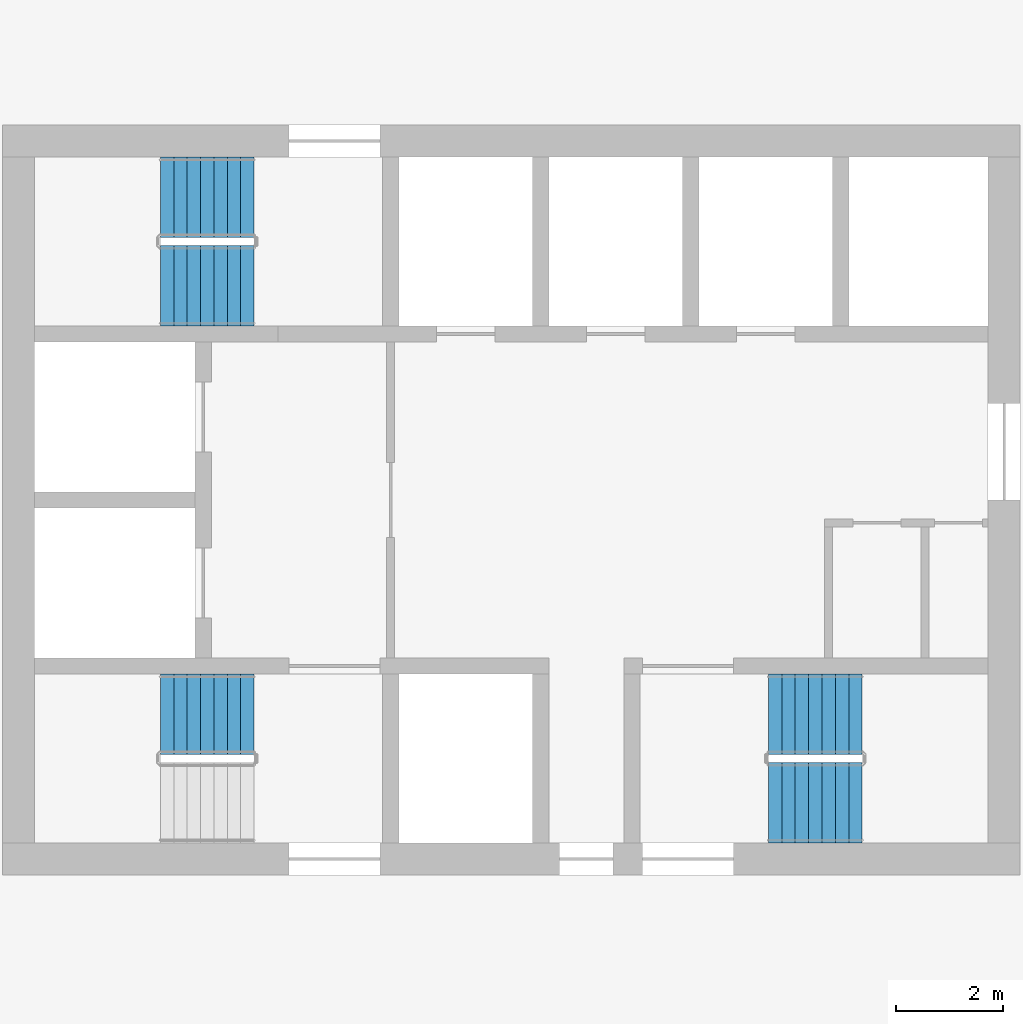
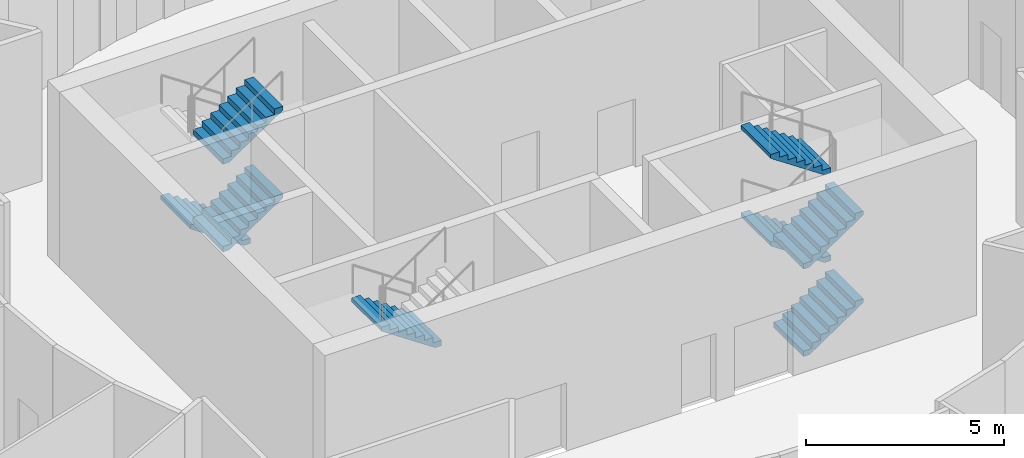
# One storey, part 8 of 11: 8 stair flights, 3 elements without a shape of their own.
"""IFC4 building model written with IfcOpenShell, lengths in metres."""

from ifc_helpers import new_model, si_unit, direction, frame, origin, place, context, subcontext, project, spatial, polyline, outline, extrude, material, type_object, element, aggregate, save


model = new_model("IFC4")

# Units and contexts
model_context = context("Model", 3, precision=1e-05, world=origin(), true_north=direction((0.0, 1.0)))
body_context = subcontext(model_context, "Body", "Model", "MODEL_VIEW")
ifc_project = project(units=[si_unit("LENGTHUNIT", "METRE"), si_unit("AREAUNIT", "SQUARE_METRE"), si_unit("VOLUMEUNIT", "CUBIC_METRE"), si_unit("PLANEANGLEUNIT", "RADIAN"), si_unit("MASSUNIT", "GRAM", prefix="KILO")], contexts=[model_context])

# Site, building, storey
site_placement = place(None, origin())
site = spatial("IfcSite", under=ifc_project, at=site_placement, CompositionType="ELEMENT")
building_placement = place(site_placement, origin())
building = spatial("IfcBuilding", under=site, at=building_placement, Name="Tracery Tower", CompositionType="ELEMENT")
storey_placement = place(building_placement, frame((0.0, 0.0, 330.60009765625)))
storey = spatial("IfcBuildingStorey", under=building, at=storey_placement, Name="L86", CompositionType="ELEMENT", Elevation=330.60009765625)

# Stair, stair flight
ifc_material_1 = material(Name="Concrete C32/40", Category="concrete")
stair_type = type_object("IfcStairType", Name="Core stair 32 risers", PredefinedType="HALF_TURN_STAIR", material=ifc_material_1)
stair_1_placement = place(storey_placement, origin())
stair_1 = element("IfcStair", 1, at=stair_1_placement, inside=storey, type_object=stair_type, Name="L86 stair ST1", PredefinedType="HALF_TURN_STAIR")
ifc_material_2 = material(Name="Concrete C32/40", Category="concrete")
stair_flight_type = type_object("IfcStairFlightType", Name="Core stair flight 8 risers", PredefinedType="STRAIGHT", material=ifc_material_2)
stair_flight_1_placement = place(storey_placement, frame((-4.800048828125, -4.0, 2.699951171875), z_axis=(0.0, 0.0, 1.0), x_axis=(-1.0, 0.0, 0.0)))
stair_flight_1 = element("IfcStairFlight", 2, at=stair_flight_1_placement, type_object=stair_flight_type, Name="ST1 flight 3", NumberOfRisers=8, NumberOfTreads=7, PredefinedType="STRAIGHT", RiserHeight=0.16875, TreadLength=0.25, context=body_context, shape_type="SweptSolid", body=[
    extrude(outline(polyline([(0.0, 0.0), (0.0, 0.002685546875), (0.0, 0.005615234375), (0.0, 0.00830078125), (0.0, 0.010986328125), (0.0, 0.013916015625), (0.0, 0.0166015625), (0.0, 0.019287109375), (0.0, 0.022216796875), (0.0, 0.02490234375), (0.0, 0.027587890625), (0.0, 0.030517578125), (0.0, 0.033203125), (0.0, 0.035888671875), (0.0, 0.038818359375), (0.0, 0.04150390625), (0.0, 0.044189453125), (0.0, 0.047119140625), (0.0, 0.0498046875), (0.0, 0.052490234375), (0.0, 0.055419921875), (0.0, 0.05810546875), (0.0, 0.060791015625), (0.0, 0.063720703125), (0.0, 0.06640625), (0.0, 0.069091796875), (0.0, 0.072021484375), (0.0, 0.07470703125), (0.0, 0.077392578125), (0.0, 0.080322265625), (0.0, 0.0830078125), (0.0, 0.085693359375), (0.0, 0.088623046875), (0.0, 0.09130859375), (0.0, 0.093994140625), (0.0, 0.096923828125), (0.0, 0.099609375), (0.0, 0.102294921875), (0.0, 0.105224609375), (0.0, 0.10791015625), (0.0, 0.110595703125), (0.0, 0.113525390625), (0.0, 0.1162109375), (0.0, 0.118896484375), (0.0, 0.121826171875), (0.0, 0.12451171875), (0.0, 0.127197265625), (0.0, 0.130126953125), (0.0, 0.1328125), (0.0, 0.135498046875), (0.0, 0.138427734375), (0.0, 0.14111328125), (0.0, 0.143798828125), (0.0, 0.146728515625), (0.0, 0.1494140625), (0.0, 0.152099609375), (0.0, 0.155029296875), (0.0, 0.15771484375), (0.0, 0.160400390625), (0.0, 0.163330078125), (0.0, 0.166015625), (0.0, 0.168701171875), (0.25, 0.168701171875), (0.25, 0.33740234375), (0.5, 0.33740234375), (0.5, 0.50634765625), (0.75, 0.50634765625), (0.75, 0.675048828125), (1.0, 0.675048828125), (1.0, 0.84375), (1.25, 0.84375), (1.25, 1.012451171875), (1.5, 1.012451171875), (1.5, 1.18115234375), (1.75, 1.18115234375), (1.75, 1.17919921875), (1.75, 1.17724609375), (1.75, 1.17529296875), (1.75, 1.17333984375), (1.75, 1.17138671875), (1.75, 1.16943359375), (1.75, 1.16748046875), (1.75, 1.16552734375), (1.75, 1.163330078125), (1.75, 1.161376953125), (1.75, 1.159423828125), (1.75, 1.157470703125), (1.75, 1.155517578125), (1.75, 1.153564453125), (1.75, 1.151611328125), (1.75, 1.149658203125), (1.75, 1.147705078125), (1.75, 1.1455078125), (1.75, 1.1435546875), (1.75, 1.1416015625), (1.75, 1.1396484375), (1.75, 1.1376953125), (1.75, 1.1357421875), (1.75, 1.1337890625), (1.75, 1.1318359375), (1.75, 1.1298828125), (1.75, 1.127685546875), (1.75, 1.125732421875), (1.75, 1.123779296875), (1.75, 1.121826171875), (1.75, 1.119873046875), (1.75, 1.117919921875), (1.75, 1.115966796875), (1.75, 1.114013671875), (1.75, 1.112060546875), (1.75, 1.10986328125), (1.75, 1.10791015625), (1.75, 1.10595703125), (1.75, 1.10400390625), (1.75, 1.10205078125), (1.75, 1.10009765625), (1.75, 1.09814453125), (1.75, 1.09619140625), (1.75, 1.09423828125), (1.75, 1.092041015625), (1.75, 1.090087890625), (1.75, 1.088134765625), (1.75, 1.086181640625), (1.75, 1.084228515625), (1.75, 1.082275390625), (1.75, 1.080322265625), (1.75, 1.078369140625), (1.75, 1.076416015625), (1.75, 1.074462890625), (1.75, 1.072265625), (1.75, 1.0703125), (1.75, 1.068359375), (1.75, 1.06640625), (1.75, 1.064453125), (1.75, 1.0625), (1.75, 1.060546875), (0.178955078125, 0.0), (0.0, 0.0)])), frame((0.0, 0.75, 0.0), z_axis=(0.0, -1.0, 0.0), x_axis=(1.0, 0.0, 0.0)), (0.0, 0.0, 1.0), 1.5),
])
aggregate(stair_1, [stair_flight_1])

# Stair, stair flights
stair_2_placement = place(storey_placement, origin())
stair_2 = element("IfcStair", 3, at=stair_2_placement, inside=storey, type_object=stair_type, Name="L86 stair ST3", PredefinedType="HALF_TURN_STAIR")
stair_flight_2_placement = place(storey_placement, frame((-4.800048828125, 5.64990234375, 0.0), z_axis=(0.0, 0.0, 1.0), x_axis=(-1.0, 0.0, 0.0)))
stair_flight_2 = element("IfcStairFlight", 4, at=stair_flight_2_placement, type_object=stair_flight_type, Name="ST3 flight 1", NumberOfRisers=8, NumberOfTreads=7, PredefinedType="STRAIGHT", RiserHeight=0.16875, TreadLength=0.25, context=body_context, shape_type="SweptSolid", body=[
    extrude(outline(polyline([(0.0, 0.0), (0.0, 0.002685546875), (0.0, 0.005615234375), (0.0, 0.00830078125), (0.0, 0.010986328125), (0.0, 0.013916015625), (0.0, 0.0166015625), (0.0, 0.019287109375), (0.0, 0.022216796875), (0.0, 0.02490234375), (0.0, 0.027587890625), (0.0, 0.030517578125), (0.0, 0.033203125), (0.0, 0.035888671875), (0.0, 0.038818359375), (0.0, 0.04150390625), (0.0, 0.044189453125), (0.0, 0.047119140625), (0.0, 0.0498046875), (0.0, 0.052490234375), (0.0, 0.055419921875), (0.0, 0.05810546875), (0.0, 0.060791015625), (0.0, 0.063720703125), (0.0, 0.06640625), (0.0, 0.069091796875), (0.0, 0.072021484375), (0.0, 0.07470703125), (0.0, 0.077392578125), (0.0, 0.080322265625), (0.0, 0.0830078125), (0.0, 0.085693359375), (0.0, 0.088623046875), (0.0, 0.09130859375), (0.0, 0.093994140625), (0.0, 0.096923828125), (0.0, 0.099609375), (0.0, 0.102294921875), (0.0, 0.105224609375), (0.0, 0.10791015625), (0.0, 0.110595703125), (0.0, 0.113525390625), (0.0, 0.1162109375), (0.0, 0.118896484375), (0.0, 0.121826171875), (0.0, 0.12451171875), (0.0, 0.127197265625), (0.0, 0.130126953125), (0.0, 0.1328125), (0.0, 0.135498046875), (0.0, 0.138427734375), (0.0, 0.14111328125), (0.0, 0.143798828125), (0.0, 0.146728515625), (0.0, 0.1494140625), (0.0, 0.152099609375), (0.0, 0.155029296875), (0.0, 0.15771484375), (0.0, 0.160400390625), (0.0, 0.163330078125), (0.0, 0.166015625), (0.0, 0.168701171875), (0.25, 0.168701171875), (0.25, 0.33740234375), (0.5, 0.33740234375), (0.5, 0.50634765625), (0.75, 0.50634765625), (0.75, 0.675048828125), (1.0, 0.675048828125), (1.0, 0.84375), (1.25, 0.84375), (1.25, 1.012451171875), (1.5, 1.012451171875), (1.5, 1.18115234375), (1.75, 1.18115234375), (1.75, 1.17919921875), (1.75, 1.17724609375), (1.75, 1.17529296875), (1.75, 1.17333984375), (1.75, 1.17138671875), (1.75, 1.16943359375), (1.75, 1.16748046875), (1.75, 1.16552734375), (1.75, 1.163330078125), (1.75, 1.161376953125), (1.75, 1.159423828125), (1.75, 1.157470703125), (1.75, 1.155517578125), (1.75, 1.153564453125), (1.75, 1.151611328125), (1.75, 1.149658203125), (1.75, 1.147705078125), (1.75, 1.1455078125), (1.75, 1.1435546875), (1.75, 1.1416015625), (1.75, 1.1396484375), (1.75, 1.1376953125), (1.75, 1.1357421875), (1.75, 1.1337890625), (1.75, 1.1318359375), (1.75, 1.1298828125), (1.75, 1.127685546875), (1.75, 1.125732421875), (1.75, 1.123779296875), (1.75, 1.121826171875), (1.75, 1.119873046875), (1.75, 1.117919921875), (1.75, 1.115966796875), (1.75, 1.114013671875), (1.75, 1.112060546875), (1.75, 1.10986328125), (1.75, 1.10791015625), (1.75, 1.10595703125), (1.75, 1.10400390625), (1.75, 1.10205078125), (1.75, 1.10009765625), (1.75, 1.09814453125), (1.75, 1.09619140625), (1.75, 1.09423828125), (1.75, 1.092041015625), (1.75, 1.090087890625), (1.75, 1.088134765625), (1.75, 1.086181640625), (1.75, 1.084228515625), (1.75, 1.082275390625), (1.75, 1.080322265625), (1.75, 1.078369140625), (1.75, 1.076416015625), (1.75, 1.074462890625), (1.75, 1.072265625), (1.75, 1.0703125), (1.75, 1.068359375), (1.75, 1.06640625), (1.75, 1.064453125), (1.75, 1.0625), (1.75, 1.060546875), (0.178955078125, 0.0), (0.0, 0.0)])), frame((0.0, 0.75, 0.0), z_axis=(0.0, -1.0, 0.0), x_axis=(1.0, 0.0, 0.0)), (0.0, 0.0, 1.0), 1.5),
])
stair_flight_3_placement = place(storey_placement, frame((-6.550048828125, 4.0, 1.349853515625), z_axis=(0.0, 0.0, 1.0), x_axis=(1.0, 0.0, 0.0)))
stair_flight_3 = element("IfcStairFlight", 5, at=stair_flight_3_placement, type_object=stair_flight_type, Name="ST3 flight 2", NumberOfRisers=8, NumberOfTreads=7, PredefinedType="STRAIGHT", RiserHeight=0.16875, TreadLength=0.25, context=body_context, shape_type="SweptSolid", body=[
    extrude(outline(polyline([(0.0, 0.0), (0.0, 0.002685546875), (0.0, 0.005615234375), (0.0, 0.00830078125), (0.0, 0.010986328125), (0.0, 0.013916015625), (0.0, 0.0166015625), (0.0, 0.019287109375), (0.0, 0.022216796875), (0.0, 0.02490234375), (0.0, 0.027587890625), (0.0, 0.030517578125), (0.0, 0.033203125), (0.0, 0.035888671875), (0.0, 0.038818359375), (0.0, 0.04150390625), (0.0, 0.044189453125), (0.0, 0.047119140625), (0.0, 0.0498046875), (0.0, 0.052490234375), (0.0, 0.055419921875), (0.0, 0.05810546875), (0.0, 0.060791015625), (0.0, 0.063720703125), (0.0, 0.06640625), (0.0, 0.069091796875), (0.0, 0.072021484375), (0.0, 0.07470703125), (0.0, 0.077392578125), (0.0, 0.080322265625), (0.0, 0.0830078125), (0.0, 0.085693359375), (0.0, 0.088623046875), (0.0, 0.09130859375), (0.0, 0.093994140625), (0.0, 0.096923828125), (0.0, 0.099609375), (0.0, 0.102294921875), (0.0, 0.105224609375), (0.0, 0.10791015625), (0.0, 0.110595703125), (0.0, 0.113525390625), (0.0, 0.1162109375), (0.0, 0.118896484375), (0.0, 0.121826171875), (0.0, 0.12451171875), (0.0, 0.127197265625), (0.0, 0.130126953125), (0.0, 0.1328125), (0.0, 0.135498046875), (0.0, 0.138427734375), (0.0, 0.14111328125), (0.0, 0.143798828125), (0.0, 0.146728515625), (0.0, 0.1494140625), (0.0, 0.152099609375), (0.0, 0.155029296875), (0.0, 0.15771484375), (0.0, 0.160400390625), (0.0, 0.163330078125), (0.0, 0.166015625), (0.0, 0.168701171875), (0.25, 0.168701171875), (0.25, 0.33740234375), (0.5, 0.33740234375), (0.5, 0.50634765625), (0.75, 0.50634765625), (0.75, 0.675048828125), (1.0, 0.675048828125), (1.0, 0.84375), (1.25, 0.84375), (1.25, 1.012451171875), (1.5, 1.012451171875), (1.5, 1.18115234375), (1.75, 1.18115234375), (1.75, 1.17919921875), (1.75, 1.17724609375), (1.75, 1.17529296875), (1.75, 1.17333984375), (1.75, 1.17138671875), (1.75, 1.16943359375), (1.75, 1.16748046875), (1.75, 1.16552734375), (1.75, 1.163330078125), (1.75, 1.161376953125), (1.75, 1.159423828125), (1.75, 1.157470703125), (1.75, 1.155517578125), (1.75, 1.153564453125), (1.75, 1.151611328125), (1.75, 1.149658203125), (1.75, 1.147705078125), (1.75, 1.1455078125), (1.75, 1.1435546875), (1.75, 1.1416015625), (1.75, 1.1396484375), (1.75, 1.1376953125), (1.75, 1.1357421875), (1.75, 1.1337890625), (1.75, 1.1318359375), (1.75, 1.1298828125), (1.75, 1.127685546875), (1.75, 1.125732421875), (1.75, 1.123779296875), (1.75, 1.121826171875), (1.75, 1.119873046875), (1.75, 1.117919921875), (1.75, 1.115966796875), (1.75, 1.114013671875), (1.75, 1.112060546875), (1.75, 1.10986328125), (1.75, 1.10791015625), (1.75, 1.10595703125), (1.75, 1.10400390625), (1.75, 1.10205078125), (1.75, 1.10009765625), (1.75, 1.09814453125), (1.75, 1.09619140625), (1.75, 1.09423828125), (1.75, 1.092041015625), (1.75, 1.090087890625), (1.75, 1.088134765625), (1.75, 1.086181640625), (1.75, 1.084228515625), (1.75, 1.082275390625), (1.75, 1.080322265625), (1.75, 1.078369140625), (1.75, 1.076416015625), (1.75, 1.074462890625), (1.75, 1.072265625), (1.75, 1.0703125), (1.75, 1.068359375), (1.75, 1.06640625), (1.75, 1.064453125), (1.75, 1.0625), (1.75, 1.060546875), (0.178955078125, 0.0), (0.0, 0.0)])), frame((0.0, 0.75, 0.0), z_axis=(0.0, -1.0, 0.0), x_axis=(1.0, 0.0, 0.0)), (0.0, 0.0, 1.0), 1.5),
])
stair_flight_4_placement = place(storey_placement, frame((-6.550048828125, 4.0, 4.0498046875), z_axis=(0.0, 0.0, 1.0), x_axis=(1.0, 0.0, 0.0)))
stair_flight_4 = element("IfcStairFlight", 6, at=stair_flight_4_placement, type_object=stair_flight_type, Name="ST3 flight 4", NumberOfRisers=8, NumberOfTreads=7, PredefinedType="STRAIGHT", RiserHeight=0.16875, TreadLength=0.25, context=body_context, shape_type="SweptSolid", body=[
    extrude(outline(polyline([(0.0, 0.0), (0.0, 0.002685546875), (0.0, 0.005615234375), (0.0, 0.00830078125), (0.0, 0.010986328125), (0.0, 0.013916015625), (0.0, 0.0166015625), (0.0, 0.019287109375), (0.0, 0.022216796875), (0.0, 0.02490234375), (0.0, 0.027587890625), (0.0, 0.030517578125), (0.0, 0.033203125), (0.0, 0.035888671875), (0.0, 0.038818359375), (0.0, 0.04150390625), (0.0, 0.044189453125), (0.0, 0.047119140625), (0.0, 0.0498046875), (0.0, 0.052490234375), (0.0, 0.055419921875), (0.0, 0.05810546875), (0.0, 0.060791015625), (0.0, 0.063720703125), (0.0, 0.06640625), (0.0, 0.069091796875), (0.0, 0.072021484375), (0.0, 0.07470703125), (0.0, 0.077392578125), (0.0, 0.080322265625), (0.0, 0.0830078125), (0.0, 0.085693359375), (0.0, 0.088623046875), (0.0, 0.09130859375), (0.0, 0.093994140625), (0.0, 0.096923828125), (0.0, 0.099609375), (0.0, 0.102294921875), (0.0, 0.105224609375), (0.0, 0.10791015625), (0.0, 0.110595703125), (0.0, 0.113525390625), (0.0, 0.1162109375), (0.0, 0.118896484375), (0.0, 0.121826171875), (0.0, 0.12451171875), (0.0, 0.127197265625), (0.0, 0.130126953125), (0.0, 0.1328125), (0.0, 0.135498046875), (0.0, 0.138427734375), (0.0, 0.14111328125), (0.0, 0.143798828125), (0.0, 0.146728515625), (0.0, 0.1494140625), (0.0, 0.152099609375), (0.0, 0.155029296875), (0.0, 0.15771484375), (0.0, 0.160400390625), (0.0, 0.163330078125), (0.0, 0.166015625), (0.0, 0.168701171875), (0.25, 0.168701171875), (0.25, 0.33740234375), (0.5, 0.33740234375), (0.5, 0.50634765625), (0.75, 0.50634765625), (0.75, 0.675048828125), (1.0, 0.675048828125), (1.0, 0.84375), (1.25, 0.84375), (1.25, 1.012451171875), (1.5, 1.012451171875), (1.5, 1.18115234375), (1.75, 1.18115234375), (1.75, 1.17919921875), (1.75, 1.17724609375), (1.75, 1.17529296875), (1.75, 1.17333984375), (1.75, 1.17138671875), (1.75, 1.16943359375), (1.75, 1.16748046875), (1.75, 1.16552734375), (1.75, 1.163330078125), (1.75, 1.161376953125), (1.75, 1.159423828125), (1.75, 1.157470703125), (1.75, 1.155517578125), (1.75, 1.153564453125), (1.75, 1.151611328125), (1.75, 1.149658203125), (1.75, 1.147705078125), (1.75, 1.1455078125), (1.75, 1.1435546875), (1.75, 1.1416015625), (1.75, 1.1396484375), (1.75, 1.1376953125), (1.75, 1.1357421875), (1.75, 1.1337890625), (1.75, 1.1318359375), (1.75, 1.1298828125), (1.75, 1.127685546875), (1.75, 1.125732421875), (1.75, 1.123779296875), (1.75, 1.121826171875), (1.75, 1.119873046875), (1.75, 1.117919921875), (1.75, 1.115966796875), (1.75, 1.114013671875), (1.75, 1.112060546875), (1.75, 1.10986328125), (1.75, 1.10791015625), (1.75, 1.10595703125), (1.75, 1.10400390625), (1.75, 1.10205078125), (1.75, 1.10009765625), (1.75, 1.09814453125), (1.75, 1.09619140625), (1.75, 1.09423828125), (1.75, 1.092041015625), (1.75, 1.090087890625), (1.75, 1.088134765625), (1.75, 1.086181640625), (1.75, 1.084228515625), (1.75, 1.082275390625), (1.75, 1.080322265625), (1.75, 1.078369140625), (1.75, 1.076416015625), (1.75, 1.074462890625), (1.75, 1.072265625), (1.75, 1.0703125), (1.75, 1.068359375), (1.75, 1.06640625), (1.75, 1.064453125), (1.75, 1.0625), (1.75, 1.060546875), (0.178955078125, 0.0), (0.0, 0.0)])), frame((0.0, 0.75, 0.0), z_axis=(0.0, -1.0, 0.0), x_axis=(1.0, 0.0, 0.0)), (0.0, 0.0, 1.0), 1.5),
])
aggregate(stair_2, [stair_flight_2, stair_flight_3, stair_flight_4])

stair_3_placement = place(storey_placement, origin())
stair_3 = element("IfcStair", 7, at=stair_3_placement, inside=storey, type_object=stair_type, Name="L86 stair ST2", PredefinedType="HALF_TURN_STAIR")
stair_flight_5_placement = place(storey_placement, frame((4.800048828125, -5.64990234375, 0.0), z_axis=(0.0, 0.0, 1.0), x_axis=(1.0, 0.0, 0.0)))
stair_flight_5 = element("IfcStairFlight", 8, at=stair_flight_5_placement, type_object=stair_flight_type, Name="ST2 flight 1", NumberOfRisers=8, NumberOfTreads=7, PredefinedType="STRAIGHT", RiserHeight=0.16875, TreadLength=0.25, context=body_context, shape_type="SweptSolid", body=[
    extrude(outline(polyline([(0.0, 0.0), (0.0, 0.002685546875), (0.0, 0.005615234375), (0.0, 0.00830078125), (0.0, 0.010986328125), (0.0, 0.013916015625), (0.0, 0.0166015625), (0.0, 0.019287109375), (0.0, 0.022216796875), (0.0, 0.02490234375), (0.0, 0.027587890625), (0.0, 0.030517578125), (0.0, 0.033203125), (0.0, 0.035888671875), (0.0, 0.038818359375), (0.0, 0.04150390625), (0.0, 0.044189453125), (0.0, 0.047119140625), (0.0, 0.0498046875), (0.0, 0.052490234375), (0.0, 0.055419921875), (0.0, 0.05810546875), (0.0, 0.060791015625), (0.0, 0.063720703125), (0.0, 0.06640625), (0.0, 0.069091796875), (0.0, 0.072021484375), (0.0, 0.07470703125), (0.0, 0.077392578125), (0.0, 0.080322265625), (0.0, 0.0830078125), (0.0, 0.085693359375), (0.0, 0.088623046875), (0.0, 0.09130859375), (0.0, 0.093994140625), (0.0, 0.096923828125), (0.0, 0.099609375), (0.0, 0.102294921875), (0.0, 0.105224609375), (0.0, 0.10791015625), (0.0, 0.110595703125), (0.0, 0.113525390625), (0.0, 0.1162109375), (0.0, 0.118896484375), (0.0, 0.121826171875), (0.0, 0.12451171875), (0.0, 0.127197265625), (0.0, 0.130126953125), (0.0, 0.1328125), (0.0, 0.135498046875), (0.0, 0.138427734375), (0.0, 0.14111328125), (0.0, 0.143798828125), (0.0, 0.146728515625), (0.0, 0.1494140625), (0.0, 0.152099609375), (0.0, 0.155029296875), (0.0, 0.15771484375), (0.0, 0.160400390625), (0.0, 0.163330078125), (0.0, 0.166015625), (0.0, 0.168701171875), (0.25, 0.168701171875), (0.25, 0.33740234375), (0.5, 0.33740234375), (0.5, 0.50634765625), (0.75, 0.50634765625), (0.75, 0.675048828125), (1.0, 0.675048828125), (1.0, 0.84375), (1.25, 0.84375), (1.25, 1.012451171875), (1.5, 1.012451171875), (1.5, 1.18115234375), (1.75, 1.18115234375), (1.75, 1.17919921875), (1.75, 1.17724609375), (1.75, 1.17529296875), (1.75, 1.17333984375), (1.75, 1.17138671875), (1.75, 1.16943359375), (1.75, 1.16748046875), (1.75, 1.16552734375), (1.75, 1.163330078125), (1.75, 1.161376953125), (1.75, 1.159423828125), (1.75, 1.157470703125), (1.75, 1.155517578125), (1.75, 1.153564453125), (1.75, 1.151611328125), (1.75, 1.149658203125), (1.75, 1.147705078125), (1.75, 1.1455078125), (1.75, 1.1435546875), (1.75, 1.1416015625), (1.75, 1.1396484375), (1.75, 1.1376953125), (1.75, 1.1357421875), (1.75, 1.1337890625), (1.75, 1.1318359375), (1.75, 1.1298828125), (1.75, 1.127685546875), (1.75, 1.125732421875), (1.75, 1.123779296875), (1.75, 1.121826171875), (1.75, 1.119873046875), (1.75, 1.117919921875), (1.75, 1.115966796875), (1.75, 1.114013671875), (1.75, 1.112060546875), (1.75, 1.10986328125), (1.75, 1.10791015625), (1.75, 1.10595703125), (1.75, 1.10400390625), (1.75, 1.10205078125), (1.75, 1.10009765625), (1.75, 1.09814453125), (1.75, 1.09619140625), (1.75, 1.09423828125), (1.75, 1.092041015625), (1.75, 1.090087890625), (1.75, 1.088134765625), (1.75, 1.086181640625), (1.75, 1.084228515625), (1.75, 1.082275390625), (1.75, 1.080322265625), (1.75, 1.078369140625), (1.75, 1.076416015625), (1.75, 1.074462890625), (1.75, 1.072265625), (1.75, 1.0703125), (1.75, 1.068359375), (1.75, 1.06640625), (1.75, 1.064453125), (1.75, 1.0625), (1.75, 1.060546875), (0.178955078125, 0.0), (0.0, 0.0)])), frame((0.0, 0.75, 0.0), z_axis=(0.0, -1.0, 0.0), x_axis=(1.0, 0.0, 0.0)), (0.0, 0.0, 1.0), 1.5),
])
stair_flight_6_placement = place(storey_placement, frame((6.550048828125, -4.0, 1.349853515625), z_axis=(0.0, 0.0, 1.0), x_axis=(-1.0, 0.0, 0.0)))
stair_flight_6 = element("IfcStairFlight", 9, at=stair_flight_6_placement, type_object=stair_flight_type, Name="ST2 flight 2", NumberOfRisers=8, NumberOfTreads=7, PredefinedType="STRAIGHT", RiserHeight=0.16875, TreadLength=0.25, context=body_context, shape_type="SweptSolid", body=[
    extrude(outline(polyline([(0.0, 0.0), (0.0, 0.002685546875), (0.0, 0.005615234375), (0.0, 0.00830078125), (0.0, 0.010986328125), (0.0, 0.013916015625), (0.0, 0.0166015625), (0.0, 0.019287109375), (0.0, 0.022216796875), (0.0, 0.02490234375), (0.0, 0.027587890625), (0.0, 0.030517578125), (0.0, 0.033203125), (0.0, 0.035888671875), (0.0, 0.038818359375), (0.0, 0.04150390625), (0.0, 0.044189453125), (0.0, 0.047119140625), (0.0, 0.0498046875), (0.0, 0.052490234375), (0.0, 0.055419921875), (0.0, 0.05810546875), (0.0, 0.060791015625), (0.0, 0.063720703125), (0.0, 0.06640625), (0.0, 0.069091796875), (0.0, 0.072021484375), (0.0, 0.07470703125), (0.0, 0.077392578125), (0.0, 0.080322265625), (0.0, 0.0830078125), (0.0, 0.085693359375), (0.0, 0.088623046875), (0.0, 0.09130859375), (0.0, 0.093994140625), (0.0, 0.096923828125), (0.0, 0.099609375), (0.0, 0.102294921875), (0.0, 0.105224609375), (0.0, 0.10791015625), (0.0, 0.110595703125), (0.0, 0.113525390625), (0.0, 0.1162109375), (0.0, 0.118896484375), (0.0, 0.121826171875), (0.0, 0.12451171875), (0.0, 0.127197265625), (0.0, 0.130126953125), (0.0, 0.1328125), (0.0, 0.135498046875), (0.0, 0.138427734375), (0.0, 0.14111328125), (0.0, 0.143798828125), (0.0, 0.146728515625), (0.0, 0.1494140625), (0.0, 0.152099609375), (0.0, 0.155029296875), (0.0, 0.15771484375), (0.0, 0.160400390625), (0.0, 0.163330078125), (0.0, 0.166015625), (0.0, 0.168701171875), (0.25, 0.168701171875), (0.25, 0.33740234375), (0.5, 0.33740234375), (0.5, 0.50634765625), (0.75, 0.50634765625), (0.75, 0.675048828125), (1.0, 0.675048828125), (1.0, 0.84375), (1.25, 0.84375), (1.25, 1.012451171875), (1.5, 1.012451171875), (1.5, 1.18115234375), (1.75, 1.18115234375), (1.75, 1.17919921875), (1.75, 1.17724609375), (1.75, 1.17529296875), (1.75, 1.17333984375), (1.75, 1.17138671875), (1.75, 1.16943359375), (1.75, 1.16748046875), (1.75, 1.16552734375), (1.75, 1.163330078125), (1.75, 1.161376953125), (1.75, 1.159423828125), (1.75, 1.157470703125), (1.75, 1.155517578125), (1.75, 1.153564453125), (1.75, 1.151611328125), (1.75, 1.149658203125), (1.75, 1.147705078125), (1.75, 1.1455078125), (1.75, 1.1435546875), (1.75, 1.1416015625), (1.75, 1.1396484375), (1.75, 1.1376953125), (1.75, 1.1357421875), (1.75, 1.1337890625), (1.75, 1.1318359375), (1.75, 1.1298828125), (1.75, 1.127685546875), (1.75, 1.125732421875), (1.75, 1.123779296875), (1.75, 1.121826171875), (1.75, 1.119873046875), (1.75, 1.117919921875), (1.75, 1.115966796875), (1.75, 1.114013671875), (1.75, 1.112060546875), (1.75, 1.10986328125), (1.75, 1.10791015625), (1.75, 1.10595703125), (1.75, 1.10400390625), (1.75, 1.10205078125), (1.75, 1.10009765625), (1.75, 1.09814453125), (1.75, 1.09619140625), (1.75, 1.09423828125), (1.75, 1.092041015625), (1.75, 1.090087890625), (1.75, 1.088134765625), (1.75, 1.086181640625), (1.75, 1.084228515625), (1.75, 1.082275390625), (1.75, 1.080322265625), (1.75, 1.078369140625), (1.75, 1.076416015625), (1.75, 1.074462890625), (1.75, 1.072265625), (1.75, 1.0703125), (1.75, 1.068359375), (1.75, 1.06640625), (1.75, 1.064453125), (1.75, 1.0625), (1.75, 1.060546875), (0.178955078125, 0.0), (0.0, 0.0)])), frame((0.0, 0.75, 0.0), z_axis=(0.0, -1.0, 0.0), x_axis=(1.0, 0.0, 0.0)), (0.0, 0.0, 1.0), 1.5),
])
stair_flight_7_placement = place(storey_placement, frame((4.800048828125, -5.64990234375, 2.699951171875), z_axis=(0.0, 0.0, 1.0), x_axis=(1.0, 0.0, 0.0)))
stair_flight_7 = element("IfcStairFlight", 10, at=stair_flight_7_placement, type_object=stair_flight_type, Name="ST2 flight 3", NumberOfRisers=8, NumberOfTreads=7, PredefinedType="STRAIGHT", RiserHeight=0.16875, TreadLength=0.25, context=body_context, shape_type="SweptSolid", body=[
    extrude(outline(polyline([(0.0, 0.0), (0.0, 0.002685546875), (0.0, 0.005615234375), (0.0, 0.00830078125), (0.0, 0.010986328125), (0.0, 0.013916015625), (0.0, 0.0166015625), (0.0, 0.019287109375), (0.0, 0.022216796875), (0.0, 0.02490234375), (0.0, 0.027587890625), (0.0, 0.030517578125), (0.0, 0.033203125), (0.0, 0.035888671875), (0.0, 0.038818359375), (0.0, 0.04150390625), (0.0, 0.044189453125), (0.0, 0.047119140625), (0.0, 0.0498046875), (0.0, 0.052490234375), (0.0, 0.055419921875), (0.0, 0.05810546875), (0.0, 0.060791015625), (0.0, 0.063720703125), (0.0, 0.06640625), (0.0, 0.069091796875), (0.0, 0.072021484375), (0.0, 0.07470703125), (0.0, 0.077392578125), (0.0, 0.080322265625), (0.0, 0.0830078125), (0.0, 0.085693359375), (0.0, 0.088623046875), (0.0, 0.09130859375), (0.0, 0.093994140625), (0.0, 0.096923828125), (0.0, 0.099609375), (0.0, 0.102294921875), (0.0, 0.105224609375), (0.0, 0.10791015625), (0.0, 0.110595703125), (0.0, 0.113525390625), (0.0, 0.1162109375), (0.0, 0.118896484375), (0.0, 0.121826171875), (0.0, 0.12451171875), (0.0, 0.127197265625), (0.0, 0.130126953125), (0.0, 0.1328125), (0.0, 0.135498046875), (0.0, 0.138427734375), (0.0, 0.14111328125), (0.0, 0.143798828125), (0.0, 0.146728515625), (0.0, 0.1494140625), (0.0, 0.152099609375), (0.0, 0.155029296875), (0.0, 0.15771484375), (0.0, 0.160400390625), (0.0, 0.163330078125), (0.0, 0.166015625), (0.0, 0.168701171875), (0.25, 0.168701171875), (0.25, 0.33740234375), (0.5, 0.33740234375), (0.5, 0.50634765625), (0.75, 0.50634765625), (0.75, 0.675048828125), (1.0, 0.675048828125), (1.0, 0.84375), (1.25, 0.84375), (1.25, 1.012451171875), (1.5, 1.012451171875), (1.5, 1.18115234375), (1.75, 1.18115234375), (1.75, 1.17919921875), (1.75, 1.17724609375), (1.75, 1.17529296875), (1.75, 1.17333984375), (1.75, 1.17138671875), (1.75, 1.16943359375), (1.75, 1.16748046875), (1.75, 1.16552734375), (1.75, 1.163330078125), (1.75, 1.161376953125), (1.75, 1.159423828125), (1.75, 1.157470703125), (1.75, 1.155517578125), (1.75, 1.153564453125), (1.75, 1.151611328125), (1.75, 1.149658203125), (1.75, 1.147705078125), (1.75, 1.1455078125), (1.75, 1.1435546875), (1.75, 1.1416015625), (1.75, 1.1396484375), (1.75, 1.1376953125), (1.75, 1.1357421875), (1.75, 1.1337890625), (1.75, 1.1318359375), (1.75, 1.1298828125), (1.75, 1.127685546875), (1.75, 1.125732421875), (1.75, 1.123779296875), (1.75, 1.121826171875), (1.75, 1.119873046875), (1.75, 1.117919921875), (1.75, 1.115966796875), (1.75, 1.114013671875), (1.75, 1.112060546875), (1.75, 1.10986328125), (1.75, 1.10791015625), (1.75, 1.10595703125), (1.75, 1.10400390625), (1.75, 1.10205078125), (1.75, 1.10009765625), (1.75, 1.09814453125), (1.75, 1.09619140625), (1.75, 1.09423828125), (1.75, 1.092041015625), (1.75, 1.090087890625), (1.75, 1.088134765625), (1.75, 1.086181640625), (1.75, 1.084228515625), (1.75, 1.082275390625), (1.75, 1.080322265625), (1.75, 1.078369140625), (1.75, 1.076416015625), (1.75, 1.074462890625), (1.75, 1.072265625), (1.75, 1.0703125), (1.75, 1.068359375), (1.75, 1.06640625), (1.75, 1.064453125), (1.75, 1.0625), (1.75, 1.060546875), (0.178955078125, 0.0), (0.0, 0.0)])), frame((0.0, 0.75, 0.0), z_axis=(0.0, -1.0, 0.0), x_axis=(1.0, 0.0, 0.0)), (0.0, 0.0, 1.0), 1.5),
])
stair_flight_8_placement = place(storey_placement, frame((6.550048828125, -4.0, 4.0498046875), z_axis=(0.0, 0.0, 1.0), x_axis=(-1.0, 0.0, 0.0)))
stair_flight_8 = element("IfcStairFlight", 11, at=stair_flight_8_placement, type_object=stair_flight_type, Name="ST2 flight 4", NumberOfRisers=8, NumberOfTreads=7, PredefinedType="STRAIGHT", RiserHeight=0.16875, TreadLength=0.25, context=body_context, shape_type="SweptSolid", body=[
    extrude(outline(polyline([(0.0, 0.0), (0.0, 0.002685546875), (0.0, 0.005615234375), (0.0, 0.00830078125), (0.0, 0.010986328125), (0.0, 0.013916015625), (0.0, 0.0166015625), (0.0, 0.019287109375), (0.0, 0.022216796875), (0.0, 0.02490234375), (0.0, 0.027587890625), (0.0, 0.030517578125), (0.0, 0.033203125), (0.0, 0.035888671875), (0.0, 0.038818359375), (0.0, 0.04150390625), (0.0, 0.044189453125), (0.0, 0.047119140625), (0.0, 0.0498046875), (0.0, 0.052490234375), (0.0, 0.055419921875), (0.0, 0.05810546875), (0.0, 0.060791015625), (0.0, 0.063720703125), (0.0, 0.06640625), (0.0, 0.069091796875), (0.0, 0.072021484375), (0.0, 0.07470703125), (0.0, 0.077392578125), (0.0, 0.080322265625), (0.0, 0.0830078125), (0.0, 0.085693359375), (0.0, 0.088623046875), (0.0, 0.09130859375), (0.0, 0.093994140625), (0.0, 0.096923828125), (0.0, 0.099609375), (0.0, 0.102294921875), (0.0, 0.105224609375), (0.0, 0.10791015625), (0.0, 0.110595703125), (0.0, 0.113525390625), (0.0, 0.1162109375), (0.0, 0.118896484375), (0.0, 0.121826171875), (0.0, 0.12451171875), (0.0, 0.127197265625), (0.0, 0.130126953125), (0.0, 0.1328125), (0.0, 0.135498046875), (0.0, 0.138427734375), (0.0, 0.14111328125), (0.0, 0.143798828125), (0.0, 0.146728515625), (0.0, 0.1494140625), (0.0, 0.152099609375), (0.0, 0.155029296875), (0.0, 0.15771484375), (0.0, 0.160400390625), (0.0, 0.163330078125), (0.0, 0.166015625), (0.0, 0.168701171875), (0.25, 0.168701171875), (0.25, 0.33740234375), (0.5, 0.33740234375), (0.5, 0.50634765625), (0.75, 0.50634765625), (0.75, 0.675048828125), (1.0, 0.675048828125), (1.0, 0.84375), (1.25, 0.84375), (1.25, 1.012451171875), (1.5, 1.012451171875), (1.5, 1.18115234375), (1.75, 1.18115234375), (1.75, 1.17919921875), (1.75, 1.17724609375), (1.75, 1.17529296875), (1.75, 1.17333984375), (1.75, 1.17138671875), (1.75, 1.16943359375), (1.75, 1.16748046875), (1.75, 1.16552734375), (1.75, 1.163330078125), (1.75, 1.161376953125), (1.75, 1.159423828125), (1.75, 1.157470703125), (1.75, 1.155517578125), (1.75, 1.153564453125), (1.75, 1.151611328125), (1.75, 1.149658203125), (1.75, 1.147705078125), (1.75, 1.1455078125), (1.75, 1.1435546875), (1.75, 1.1416015625), (1.75, 1.1396484375), (1.75, 1.1376953125), (1.75, 1.1357421875), (1.75, 1.1337890625), (1.75, 1.1318359375), (1.75, 1.1298828125), (1.75, 1.127685546875), (1.75, 1.125732421875), (1.75, 1.123779296875), (1.75, 1.121826171875), (1.75, 1.119873046875), (1.75, 1.117919921875), (1.75, 1.115966796875), (1.75, 1.114013671875), (1.75, 1.112060546875), (1.75, 1.10986328125), (1.75, 1.10791015625), (1.75, 1.10595703125), (1.75, 1.10400390625), (1.75, 1.10205078125), (1.75, 1.10009765625), (1.75, 1.09814453125), (1.75, 1.09619140625), (1.75, 1.09423828125), (1.75, 1.092041015625), (1.75, 1.090087890625), (1.75, 1.088134765625), (1.75, 1.086181640625), (1.75, 1.084228515625), (1.75, 1.082275390625), (1.75, 1.080322265625), (1.75, 1.078369140625), (1.75, 1.076416015625), (1.75, 1.074462890625), (1.75, 1.072265625), (1.75, 1.0703125), (1.75, 1.068359375), (1.75, 1.06640625), (1.75, 1.064453125), (1.75, 1.0625), (1.75, 1.060546875), (0.178955078125, 0.0), (0.0, 0.0)])), frame((0.0, 0.75, 0.0), z_axis=(0.0, -1.0, 0.0), x_axis=(1.0, 0.0, 0.0)), (0.0, 0.0, 1.0), 1.5),
])
aggregate(stair_3, [stair_flight_5, stair_flight_6, stair_flight_7, stair_flight_8])

save(model, "model.ifc")
